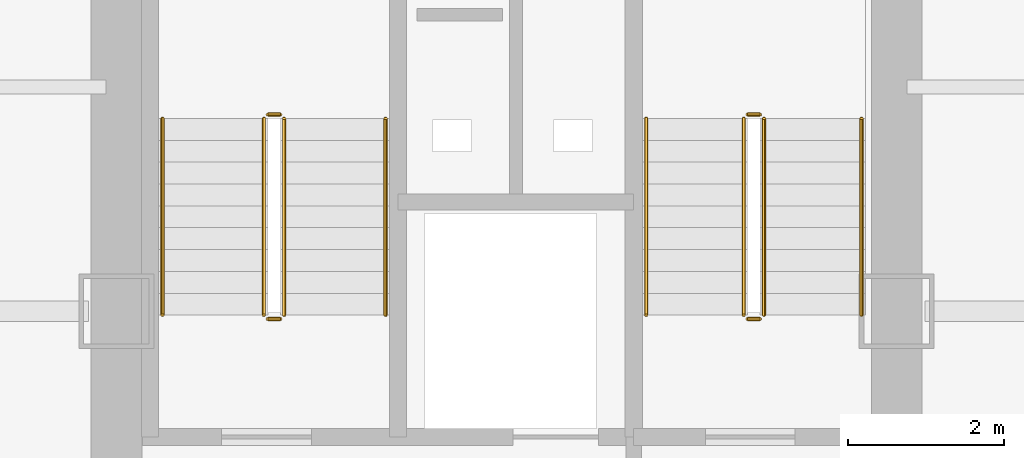
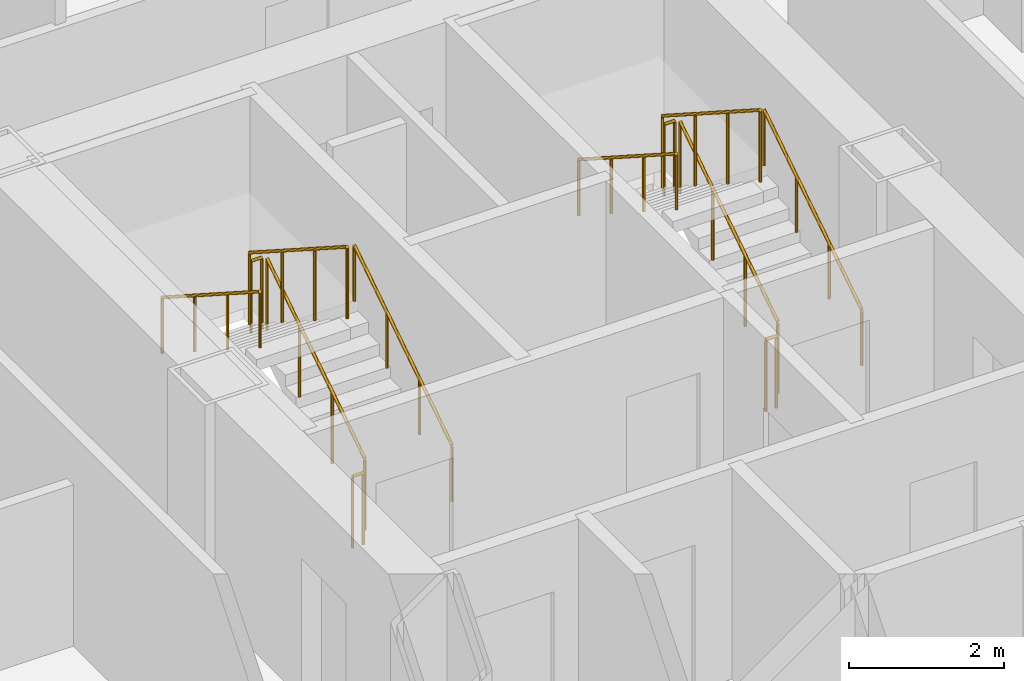
# One storey, part 21 of 22: 12 railings.
"""IFC4 building model written with IfcOpenShell, lengths in metres."""

from ifc_helpers import new_model, si_unit, direction, frame, origin, origin_2d, place, context, subcontext, project, spatial, circle, extrude, material, type_object, element, save


model = new_model("IFC4")

# Units and contexts
model_context = context("Model", 3, precision=1e-05, world=origin(), true_north=direction((0.0, 1.0)))
body_context = subcontext(model_context, "Body", "Model", "MODEL_VIEW")
ifc_project = project(units=[si_unit("LENGTHUNIT", "METRE"), si_unit("AREAUNIT", "SQUARE_METRE"), si_unit("VOLUMEUNIT", "CUBIC_METRE"), si_unit("PLANEANGLEUNIT", "RADIAN"), si_unit("MASSUNIT", "GRAM", prefix="KILO")], contexts=[model_context])

# Site, building, storey
site_placement = place(None, origin())
site = spatial("IfcSite", under=ifc_project, at=site_placement, CompositionType="ELEMENT")
building_placement = place(site_placement, origin())
building = spatial("IfcBuilding", under=site, at=building_placement, Name="Kolveth Station Tower", CompositionType="ELEMENT")
storey_placement = place(building_placement, frame((0.0, 0.0, 54.89990234375)))
storey = spatial("IfcBuildingStorey", under=building, at=storey_placement, Name="L14", CompositionType="ELEMENT", Elevation=54.89990234375)

# Railings
ifc_material_1 = material(Name="Painted Steel S355 balustrade", Category="steel")
railing_type_1 = type_object("IfcRailingType", Name="Guard_GR2", PredefinedType="BALUSTRADE", material=ifc_material_1)
railing_1_placement = place(storey_placement, frame((20.64990234375, 22.949951171875, 0.18017578125)))
element("IfcRailing", 1, at=railing_1_placement, inside=storey, type_object=railing_type_1, Name="L14 ST1 stair guard 1", PredefinedType="BALUSTRADE", context=body_context, shape_type="SweptSolid", body=[
    extrude(circle(Radius=0.02392578125, at=origin_2d()), frame((0.0, 0.0, 1.1259765625), z_axis=(0.0, 0.841199657755, 0.540724639528), x_axis=(-1.0, 0.0, 0.0)), (0.0, 0.0, 1.0), 2.995849609375),
    extrude(circle(Radius=0.02099609375, at=origin_2d()), origin(), (0.0, 0.0, 1.0), 1.101806640625),
    extrude(circle(Radius=0.02099609375, at=origin_2d()), frame((0.0, 0.840087890625, 0.5400390625)), (0.0, 0.0, 1.0), 1.101806640625),
    extrude(circle(Radius=0.02099609375, at=origin_2d()), frame((0.0, 1.679931640625, 1.079833984375)), (0.0, 0.0, 1.0), 1.101806640625),
    extrude(circle(Radius=0.02099609375, at=origin_2d()), frame((0.0, 2.52001953125, 1.619873046875)), (0.0, 0.0, 1.0), 1.101806640625),
])
railing_2_placement = place(storey_placement, frame((20.60009765625, 25.52001953125, 1.800048828125)))
element("IfcRailing", 2, at=railing_2_placement, inside=storey, type_object=railing_type_1, Name="L14 ST1 stair guard 2", PredefinedType="BALUSTRADE", context=body_context, shape_type="SweptSolid", body=[
    extrude(circle(Radius=0.02392578125, at=origin_2d()), frame((0.0, 0.0, 1.1259765625), z_axis=(-1.0, 0.0, 0.0), x_axis=(0.0, -1.0, 0.0)), (0.0, 0.0, 1.0), 0.16015625),
    extrude(circle(Radius=0.02099609375, at=origin_2d()), origin(), (0.0, 0.0, 1.0), 1.101806640625),
    extrude(circle(Radius=0.02099609375, at=origin_2d()), frame((-0.16015625, 0.0, 0.0)), (0.0, 0.0, 1.0), 1.101806640625),
])
railing_3_placement = place(storey_placement, frame((20.389892578125, 25.469970703125, 1.97998046875)))
element("IfcRailing", 3, at=railing_3_placement, inside=storey, type_object=railing_type_1, Name="L14 ST1 stair guard 3", PredefinedType="BALUSTRADE", context=body_context, shape_type="SweptSolid", body=[
    extrude(circle(Radius=0.02392578125, at=origin_2d()), frame((0.0, 0.0, 1.1259765625), z_axis=(0.0, -0.841162588446, 0.540782303519), x_axis=(1.0, 0.0, 0.0)), (0.0, 0.0, 1.0), 2.995849609375),
    extrude(circle(Radius=0.02099609375, at=origin_2d()), origin(), (0.0, 0.0, 1.0), 1.101806640625),
    extrude(circle(Radius=0.02099609375, at=origin_2d()), frame((0.0, -0.840087890625, 0.5400390625)), (0.0, 0.0, 1.0), 1.101806640625),
    extrude(circle(Radius=0.02099609375, at=origin_2d()), frame((0.0, -1.679931640625, 1.080078125)), (0.0, 0.0, 1.0), 1.101806640625),
    extrude(circle(Radius=0.02099609375, at=origin_2d()), frame((0.0, -2.52001953125, 1.6201171875)), (0.0, 0.0, 1.0), 1.101806640625),
])
railing_4_placement = place(storey_placement, frame((20.60009765625, 22.89990234375, 0.0)))
element("IfcRailing", 4, at=railing_4_placement, inside=storey, type_object=railing_type_1, Name="L14 ST1 stair guard 4", PredefinedType="BALUSTRADE", context=body_context, shape_type="SweptSolid", body=[
    extrude(circle(Radius=0.02392578125, at=origin_2d()), frame((0.0, 0.0, 1.1259765625), z_axis=(-1.0, 0.0, 0.0), x_axis=(0.0, -1.0, 0.0)), (0.0, 0.0, 1.0), 0.16015625),
    extrude(circle(Radius=0.02099609375, at=origin_2d()), origin(), (0.0, 0.0, 1.0), 1.101806640625),
    extrude(circle(Radius=0.02099609375, at=origin_2d()), frame((-0.16015625, 0.0, 0.0)), (0.0, 0.0, 1.0), 1.101806640625),
])
railing_5_placement = place(storey_placement, frame((26.800048828125, 22.949951171875, 0.18017578125)))
element("IfcRailing", 5, at=railing_5_placement, inside=storey, type_object=railing_type_1, Name="L14 ST2 stair guard 1", PredefinedType="BALUSTRADE", context=body_context, shape_type="SweptSolid", body=[
    extrude(circle(Radius=0.02392578125, at=origin_2d()), frame((0.0, 0.0, 1.1259765625), z_axis=(0.0, 0.841199657755, 0.540724639528), x_axis=(-1.0, 0.0, 0.0)), (0.0, 0.0, 1.0), 2.995849609375),
    extrude(circle(Radius=0.02099609375, at=origin_2d()), origin(), (0.0, 0.0, 1.0), 1.101806640625),
    extrude(circle(Radius=0.02099609375, at=origin_2d()), frame((0.0, 0.840087890625, 0.5400390625)), (0.0, 0.0, 1.0), 1.101806640625),
    extrude(circle(Radius=0.02099609375, at=origin_2d()), frame((0.0, 1.679931640625, 1.079833984375)), (0.0, 0.0, 1.0), 1.101806640625),
    extrude(circle(Radius=0.02099609375, at=origin_2d()), frame((0.0, 2.52001953125, 1.619873046875)), (0.0, 0.0, 1.0), 1.101806640625),
])
railing_6_placement = place(storey_placement, frame((26.75, 25.52001953125, 1.800048828125)))
element("IfcRailing", 6, at=railing_6_placement, inside=storey, type_object=railing_type_1, Name="L14 ST2 stair guard 2", PredefinedType="BALUSTRADE", context=body_context, shape_type="SweptSolid", body=[
    extrude(circle(Radius=0.02392578125, at=origin_2d()), frame((0.0, 0.0, 1.1259765625), z_axis=(-1.0, 0.0, 0.0), x_axis=(0.0, -1.0, 0.0)), (0.0, 0.0, 1.0), 0.159912109375),
    extrude(circle(Radius=0.02099609375, at=origin_2d()), origin(), (0.0, 0.0, 1.0), 1.101806640625),
    extrude(circle(Radius=0.02099609375, at=origin_2d()), frame((-0.159912109375, 0.0, 0.0)), (0.0, 0.0, 1.0), 1.101806640625),
])
railing_7_placement = place(storey_placement, frame((26.5400390625, 25.469970703125, 1.97998046875)))
element("IfcRailing", 7, at=railing_7_placement, inside=storey, type_object=railing_type_1, Name="L14 ST2 stair guard 3", PredefinedType="BALUSTRADE", context=body_context, shape_type="SweptSolid", body=[
    extrude(circle(Radius=0.02392578125, at=origin_2d()), frame((0.0, 0.0, 1.1259765625), z_axis=(0.0, -0.841162588446, 0.540782303519), x_axis=(1.0, 0.0, 0.0)), (0.0, 0.0, 1.0), 2.995849609375),
    extrude(circle(Radius=0.02099609375, at=origin_2d()), origin(), (0.0, 0.0, 1.0), 1.101806640625),
    extrude(circle(Radius=0.02099609375, at=origin_2d()), frame((0.0, -0.840087890625, 0.5400390625)), (0.0, 0.0, 1.0), 1.101806640625),
    extrude(circle(Radius=0.02099609375, at=origin_2d()), frame((0.0, -1.679931640625, 1.080078125)), (0.0, 0.0, 1.0), 1.101806640625),
    extrude(circle(Radius=0.02099609375, at=origin_2d()), frame((0.0, -2.52001953125, 1.6201171875)), (0.0, 0.0, 1.0), 1.101806640625),
])
railing_8_placement = place(storey_placement, frame((26.75, 22.89990234375, 0.0)))
element("IfcRailing", 8, at=railing_8_placement, inside=storey, type_object=railing_type_1, Name="L14 ST2 stair guard 4", PredefinedType="BALUSTRADE", context=body_context, shape_type="SweptSolid", body=[
    extrude(circle(Radius=0.02392578125, at=origin_2d()), frame((0.0, 0.0, 1.1259765625), z_axis=(-1.0, 0.0, 0.0), x_axis=(0.0, -1.0, 0.0)), (0.0, 0.0, 1.0), 0.159912109375),
    extrude(circle(Radius=0.02099609375, at=origin_2d()), origin(), (0.0, 0.0, 1.0), 1.101806640625),
    extrude(circle(Radius=0.02099609375, at=origin_2d()), frame((-0.159912109375, 0.0, 0.0)), (0.0, 0.0, 1.0), 1.101806640625),
])
ifc_material_2 = material(Name="Brushed stainless steel", Category="steel")
railing_type_2 = type_object("IfcRailingType", Name="Handrail_HR1", PredefinedType="HANDRAIL", material=ifc_material_2)
railing_9_placement = place(storey_placement, frame((21.949951171875, 22.949951171875, 0.18017578125)))
element("IfcRailing", 9, at=railing_9_placement, inside=storey, type_object=railing_type_2, Name="L14 ST1 stair handrail 1", PredefinedType="HANDRAIL", context=body_context, shape_type="SweptSolid", body=[
    extrude(circle(Radius=0.02392578125, at=origin_2d()), frame((0.0, 0.0, 0.8759765625), z_axis=(0.0, 0.841199657755, 0.540724639528), x_axis=(-1.0, 0.0, 0.0)), (0.0, 0.0, 1.0), 2.995849609375),
    extrude(circle(Radius=0.02099609375, at=origin_2d()), origin(), (0.0, 0.0, 1.0), 0.851806640625),
    extrude(circle(Radius=0.02099609375, at=origin_2d()), frame((0.0, 0.840087890625, 0.5400390625)), (0.0, 0.0, 1.0), 0.851806640625),
    extrude(circle(Radius=0.02099609375, at=origin_2d()), frame((0.0, 1.679931640625, 1.079833984375)), (0.0, 0.0, 1.0), 0.851806640625),
    extrude(circle(Radius=0.02099609375, at=origin_2d()), frame((0.0, 2.52001953125, 1.619873046875)), (0.0, 0.0, 1.0), 0.851806640625),
])
railing_10_placement = place(storey_placement, frame((19.090087890625, 25.469970703125, 1.97998046875)))
element("IfcRailing", 10, at=railing_10_placement, inside=storey, type_object=railing_type_2, Name="L14 ST1 stair handrail 2", PredefinedType="HANDRAIL", context=body_context, shape_type="SweptSolid", body=[
    extrude(circle(Radius=0.02392578125, at=origin_2d()), frame((0.0, 0.0, 0.8759765625), z_axis=(0.0, -0.841162588446, 0.540782303519), x_axis=(1.0, 0.0, 0.0)), (0.0, 0.0, 1.0), 2.995849609375),
    extrude(circle(Radius=0.02099609375, at=origin_2d()), origin(), (0.0, 0.0, 1.0), 0.851806640625),
    extrude(circle(Radius=0.02099609375, at=origin_2d()), frame((0.0, -0.840087890625, 0.5400390625)), (0.0, 0.0, 1.0), 0.851806640625),
    extrude(circle(Radius=0.02099609375, at=origin_2d()), frame((0.0, -1.679931640625, 1.080078125)), (0.0, 0.0, 1.0), 0.851806640625),
    extrude(circle(Radius=0.02099609375, at=origin_2d()), frame((0.0, -2.52001953125, 1.6201171875)), (0.0, 0.0, 1.0), 0.851806640625),
])
railing_11_placement = place(storey_placement, frame((28.050048828125, 22.949951171875, 0.18017578125)))
element("IfcRailing", 11, at=railing_11_placement, inside=storey, type_object=railing_type_2, Name="L14 ST2 stair handrail 1", PredefinedType="HANDRAIL", context=body_context, shape_type="SweptSolid", body=[
    extrude(circle(Radius=0.02392578125, at=origin_2d()), frame((0.0, 0.0, 0.8759765625), z_axis=(0.0, 0.841199657755, 0.540724639528), x_axis=(-1.0, 0.0, 0.0)), (0.0, 0.0, 1.0), 2.995849609375),
    extrude(circle(Radius=0.02099609375, at=origin_2d()), origin(), (0.0, 0.0, 1.0), 0.851806640625),
    extrude(circle(Radius=0.02099609375, at=origin_2d()), frame((0.0, 0.840087890625, 0.5400390625)), (0.0, 0.0, 1.0), 0.851806640625),
    extrude(circle(Radius=0.02099609375, at=origin_2d()), frame((0.0, 1.679931640625, 1.079833984375)), (0.0, 0.0, 1.0), 0.851806640625),
    extrude(circle(Radius=0.02099609375, at=origin_2d()), frame((0.0, 2.52001953125, 1.619873046875)), (0.0, 0.0, 1.0), 0.851806640625),
])
railing_12_placement = place(storey_placement, frame((25.2900390625, 25.469970703125, 1.97998046875)))
element("IfcRailing", 12, at=railing_12_placement, inside=storey, type_object=railing_type_2, Name="L14 ST2 stair handrail 2", PredefinedType="HANDRAIL", context=body_context, shape_type="SweptSolid", body=[
    extrude(circle(Radius=0.02392578125, at=origin_2d()), frame((0.0, 0.0, 0.8759765625), z_axis=(0.0, -0.841162588446, 0.540782303519), x_axis=(1.0, 0.0, 0.0)), (0.0, 0.0, 1.0), 2.995849609375),
    extrude(circle(Radius=0.02099609375, at=origin_2d()), origin(), (0.0, 0.0, 1.0), 0.851806640625),
    extrude(circle(Radius=0.02099609375, at=origin_2d()), frame((0.0, -0.840087890625, 0.5400390625)), (0.0, 0.0, 1.0), 0.851806640625),
    extrude(circle(Radius=0.02099609375, at=origin_2d()), frame((0.0, -1.679931640625, 1.080078125)), (0.0, 0.0, 1.0), 0.851806640625),
    extrude(circle(Radius=0.02099609375, at=origin_2d()), frame((0.0, -2.52001953125, 1.6201171875)), (0.0, 0.0, 1.0), 0.851806640625),
])

save(model, "model.ifc")
